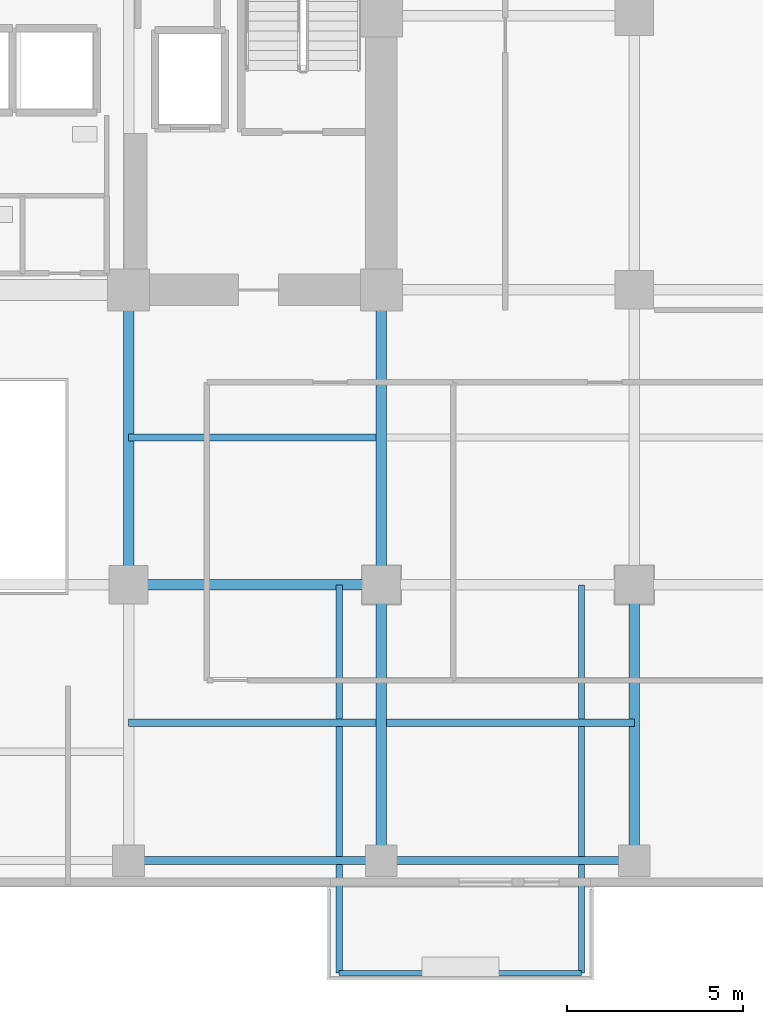
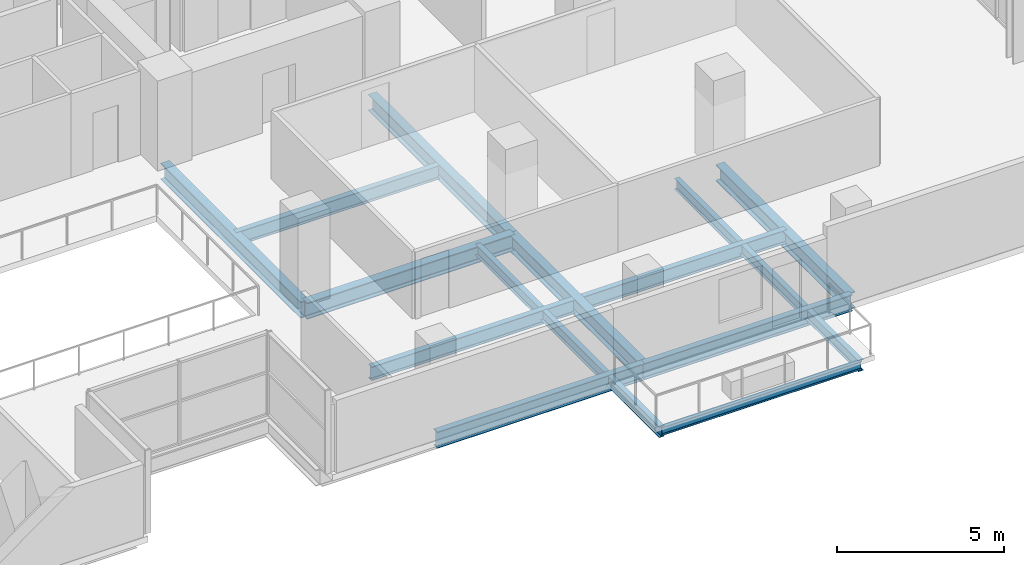
# One storey, part 10 of 31: 13 beams.
"""IFC4 building model written with IfcOpenShell, lengths in metres."""

from ifc_helpers import new_model, si_unit, direction, frame, origin, origin_2d, place, context, subcontext, project, spatial, i_section, extrude, material, material_profile, profile_set, type_object, element, save


model = new_model("IFC4")

# Units and contexts
model_context = context("Model", 3, precision=1e-05, world=origin(), true_north=direction((0.0, 1.0)))
body_context = subcontext(model_context, "Body", "Model", "MODEL_VIEW")
ifc_project = project(units=[si_unit("LENGTHUNIT", "METRE"), si_unit("AREAUNIT", "SQUARE_METRE"), si_unit("VOLUMEUNIT", "CUBIC_METRE"), si_unit("PLANEANGLEUNIT", "RADIAN"), si_unit("MASSUNIT", "GRAM", prefix="KILO")], contexts=[model_context])

# Site, building, storey
site_placement = place(None, origin())
site = spatial("IfcSite", under=ifc_project, at=site_placement, CompositionType="ELEMENT")
building_placement = place(site_placement, origin())
building = spatial("IfcBuilding", under=site, at=building_placement, Name="Zarnakvel Exchange Tower", CompositionType="ELEMENT")
storey_placement = place(building_placement, frame((0.0, 0.0, 60.39990234375)))
storey = spatial("IfcBuildingStorey", under=building, at=storey_placement, Name="L16", CompositionType="ELEMENT", Elevation=60.39990234375)

# Beams
ifc_material = material(Name="Steel S355", Category="steel")
ifc_material_profile_1 = material_profile(ifc_material, i_section(OverallWidth=0.199951171875, OverallDepth=0.5, WebThickness=0.01025390625, FlangeThickness=0.01611328125, FilletRadius=0.02099609375, at=origin_2d()))
ifc_profile_set_1 = profile_set([ifc_material_profile_1], Name="Steel S355")
beam_type_1 = type_object("IfcBeamType", Name="B-04", PredefinedType="JOIST", material=ifc_profile_set_1)
for number, where, z_axis, x_axis, name in (
    (1, (7.199951171875, -13.52490234375, -0.474853515625), (1.0, 0.0, 0.0), (0.0, 1.0, 0.0), "L16 Composite Floor Secondary Joist"),
    (2, (14.550048828125, -13.52490234375, -0.474853515625), (1.0, 0.0, 0.0), (0.0, 1.0, 0.0), "L16 Composite Floor Secondary Joist"),
    (3, (7.199951171875, -5.39990234375, -0.474853515625), (1.0, 0.0, 0.0), (0.0, 1.0, 0.0), "L16 Composite Floor Secondary Joist"),
):
    element("IfcBeam", number, at=place(storey_placement, frame(where, z_axis=z_axis, x_axis=x_axis)), inside=storey, type_object=beam_type_1, Name=name, PredefinedType="JOIST", context=body_context, shape_type="SweptSolid", body=[
        extrude(i_section(OverallWidth=0.199951171875, OverallDepth=0.5, WebThickness=0.01025390625, FlangeThickness=0.01611328125, FilletRadius=0.02099609375, at=origin_2d()), origin(), (0.0, 0.0, 1.0), 7.050048828125),
    ])
ifc_material_profile_2 = material_profile(ifc_material, i_section(OverallWidth=0.179931640625, OverallDepth=0.39990234375, WebThickness=0.008544921875, FlangeThickness=0.013427734375, FilletRadius=0.02099609375, at=origin_2d()))
ifc_profile_set_2 = profile_set([ifc_material_profile_2], Name="Steel S355")
beam_type_2 = type_object("IfcBeamType", Name="B-06", PredefinedType="JOIST", material=ifc_profile_set_2)
for number, where, z_axis, x_axis, name in (
    (4, (13.199951171875, -9.60009765625, -0.4248046875), (0.0, -1.0, 0.0), (1.0, 0.0, 0.0), "L16 Continuous Back-Spanned Balcony Beam W"),
    (5, (20.10009765625, -9.60009765625, -0.4248046875), (0.0, -1.0, 0.0), (1.0, 0.0, 0.0), "L16 Continuous Back-Spanned Balcony Beam E"),
):
    element("IfcBeam", number, at=place(storey_placement, frame(where, z_axis=z_axis, x_axis=x_axis)), inside=storey, type_object=beam_type_2, Name=name, PredefinedType="JOIST", context=body_context, shape_type="SweptSolid", body=[
        extrude(i_section(OverallWidth=0.179931640625, OverallDepth=0.39990234375, WebThickness=0.008544921875, FlangeThickness=0.013427734375, FilletRadius=0.02099609375, at=origin_2d()), origin(), (0.0, 0.0, 1.0), 11.0498046875),
    ])
ifc_material_profile_3 = material_profile(ifc_material, i_section(OverallWidth=0.14990234375, OverallDepth=0.300048828125, WebThickness=0.007080078125, FlangeThickness=0.0107421875, FilletRadius=0.014892578125, at=origin_2d()))
ifc_profile_set_3 = profile_set([ifc_material_profile_3], Name="Steel S355")
beam_type_3 = type_object("IfcBeamType", Name="B-08", PredefinedType="JOIST", material=ifc_profile_set_3)
beam_1_placement = place(storey_placement, frame((13.199951171875, -20.64990234375, -0.375), z_axis=(1.0, 0.0, 0.0), x_axis=(0.0, 1.0, 0.0)))
element("IfcBeam", 6, at=beam_1_placement, inside=storey, type_object=beam_type_3, Name="L16 Balcony Edge Beam", PredefinedType="JOIST", context=body_context, shape_type="SweptSolid", body=[
    extrude(i_section(OverallWidth=0.14990234375, OverallDepth=0.300048828125, WebThickness=0.007080078125, FlangeThickness=0.0107421875, FilletRadius=0.014892578125, at=origin_2d()), origin(), (0.0, 0.0, 1.0), 6.900146484375),
])
ifc_material_profile_4 = material_profile(ifc_material, i_section(OverallWidth=0.300048828125, OverallDepth=0.60009765625, WebThickness=0.015380859375, FlangeThickness=0.030029296875, FilletRadius=0.027099609375, at=origin_2d()))
ifc_profile_set_4 = profile_set([ifc_material_profile_4], Name="Steel S355")
beam_type_4 = type_object("IfcBeamType", Name="G-04", PredefinedType="BEAM", material=ifc_profile_set_4)
beam_2_placement = place(storey_placement, frame((7.199951171875, -9.60009765625, -0.52490234375), z_axis=(1.0, 0.0, 0.0), x_axis=(0.0, 1.0, 0.0)))
element("IfcBeam", 7, at=beam_2_placement, inside=storey, type_object=beam_type_4, Name="L16 Tower E-W Frame Beam", PredefinedType="BEAM", context=body_context, shape_type="SweptSolid", body=[
    extrude(i_section(OverallWidth=0.300048828125, OverallDepth=0.60009765625, WebThickness=0.015380859375, FlangeThickness=0.030029296875, FilletRadius=0.027099609375, at=origin_2d()), origin(), (0.0, 0.0, 1.0), 7.199951171875),
])
beam_3_placement = place(storey_placement, frame((7.199951171875, -9.60009765625, -0.52490234375), z_axis=(0.0, 1.0, 0.0), x_axis=(-1.0, 0.0, 0.0)))
element("IfcBeam", 8, at=beam_3_placement, inside=storey, type_object=beam_type_4, Name="L16 Tower N-S Frame Beam", PredefinedType="BEAM", context=body_context, shape_type="SweptSolid", body=[
    extrude(i_section(OverallWidth=0.300048828125, OverallDepth=0.60009765625, WebThickness=0.015380859375, FlangeThickness=0.030029296875, FilletRadius=0.027099609375, at=origin_2d()), origin(), (0.0, 0.0, 1.0), 8.400146484375),
])
beam_4_placement = place(storey_placement, frame((14.39990234375, -17.449951171875, -0.52490234375), z_axis=(0.0, 1.0, 0.0), x_axis=(-1.0, 0.0, 0.0)))
element("IfcBeam", 9, at=beam_4_placement, inside=storey, type_object=beam_type_4, Name="L16 Tower N-S Frame Beam", PredefinedType="BEAM", context=body_context, shape_type="SweptSolid", body=[
    extrude(i_section(OverallWidth=0.300048828125, OverallDepth=0.60009765625, WebThickness=0.015380859375, FlangeThickness=0.030029296875, FilletRadius=0.027099609375, at=origin_2d()), origin(), (0.0, 0.0, 1.0), 7.849853515625),
])
beam_5_placement = place(storey_placement, frame((14.39990234375, -9.60009765625, -0.52490234375), z_axis=(0.0, 1.0, 0.0), x_axis=(-1.0, 0.0, 0.0)))
element("IfcBeam", 10, at=beam_5_placement, inside=storey, type_object=beam_type_4, Name="L16 Tower N-S Frame Beam", PredefinedType="BEAM", context=body_context, shape_type="SweptSolid", body=[
    extrude(i_section(OverallWidth=0.300048828125, OverallDepth=0.60009765625, WebThickness=0.015380859375, FlangeThickness=0.030029296875, FilletRadius=0.027099609375, at=origin_2d()), origin(), (0.0, 0.0, 1.0), 8.400146484375),
])
beam_6_placement = place(storey_placement, frame((21.60009765625, -17.449951171875, -0.52490234375), z_axis=(0.0, 1.0, 0.0), x_axis=(-1.0, 0.0, 0.0)))
element("IfcBeam", 11, at=beam_6_placement, inside=storey, type_object=beam_type_4, Name="L16 Tower N-S Frame Beam", PredefinedType="BEAM", context=body_context, shape_type="SweptSolid", body=[
    extrude(i_section(OverallWidth=0.300048828125, OverallDepth=0.60009765625, WebThickness=0.015380859375, FlangeThickness=0.030029296875, FilletRadius=0.027099609375, at=origin_2d()), origin(), (0.0, 0.0, 1.0), 7.849853515625),
])
ifc_material_profile_5 = material_profile(ifc_material, i_section(OverallWidth=0.219970703125, OverallDepth=0.60009765625, WebThickness=0.011962890625, FlangeThickness=0.01904296875, FilletRadius=0.02392578125, at=origin_2d()))
ifc_profile_set_5 = profile_set([ifc_material_profile_5], Name="Steel S355")
beam_type_5 = type_object("IfcBeamType", Name="SP-01", PredefinedType="SPANDREL", material=ifc_profile_set_5)
beam_7_placement = place(storey_placement, frame((7.199951171875, -17.449951171875, -0.52490234375), z_axis=(1.0, 0.0, 0.0), x_axis=(0.0, 1.0, 0.0)))
element("IfcBeam", 12, at=beam_7_placement, inside=storey, type_object=beam_type_5, Name="L16 Tower E-W Frame Beam", PredefinedType="SPANDREL", context=body_context, shape_type="SweptSolid", body=[
    extrude(i_section(OverallWidth=0.219970703125, OverallDepth=0.60009765625, WebThickness=0.011962890625, FlangeThickness=0.01904296875, FilletRadius=0.02392578125, at=origin_2d()), origin(), (0.0, 0.0, 1.0), 7.199951171875),
])
beam_8_placement = place(storey_placement, frame((14.39990234375, -17.449951171875, -0.52490234375), z_axis=(1.0, 0.0, 0.0), x_axis=(0.0, 1.0, 0.0)))
element("IfcBeam", 13, at=beam_8_placement, inside=storey, type_object=beam_type_5, Name="L16 Tower E-W Frame Beam", PredefinedType="SPANDREL", context=body_context, shape_type="SweptSolid", body=[
    extrude(i_section(OverallWidth=0.219970703125, OverallDepth=0.60009765625, WebThickness=0.011962890625, FlangeThickness=0.01904296875, FilletRadius=0.02392578125, at=origin_2d()), origin(), (0.0, 0.0, 1.0), 7.2001953125),
])

save(model, "model.ifc")
